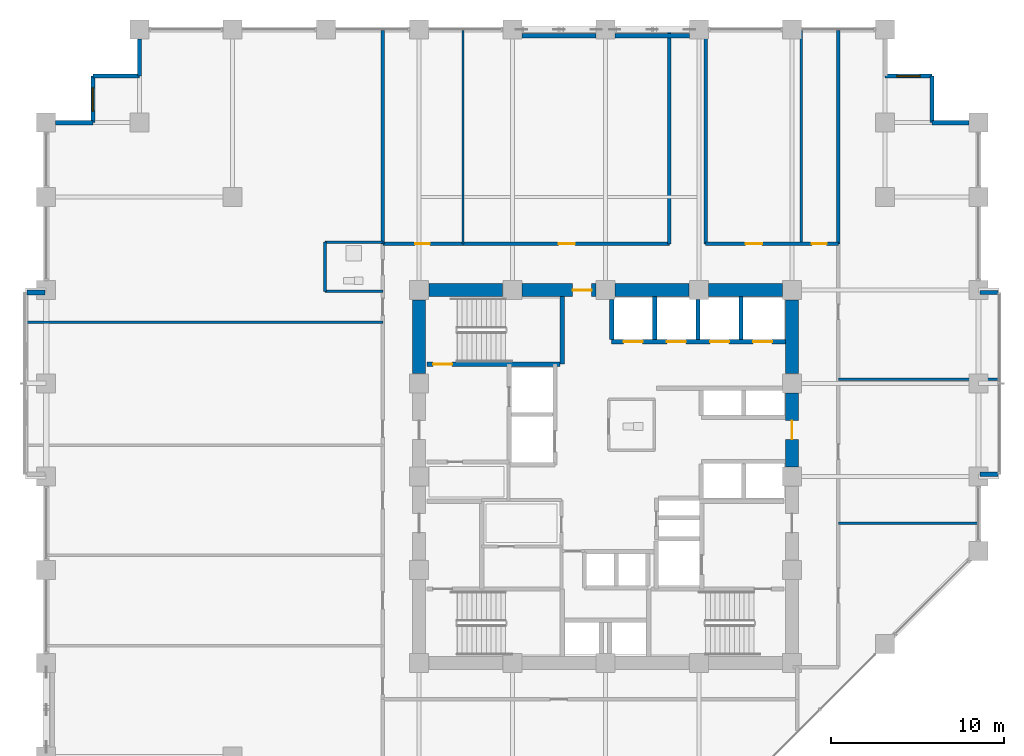
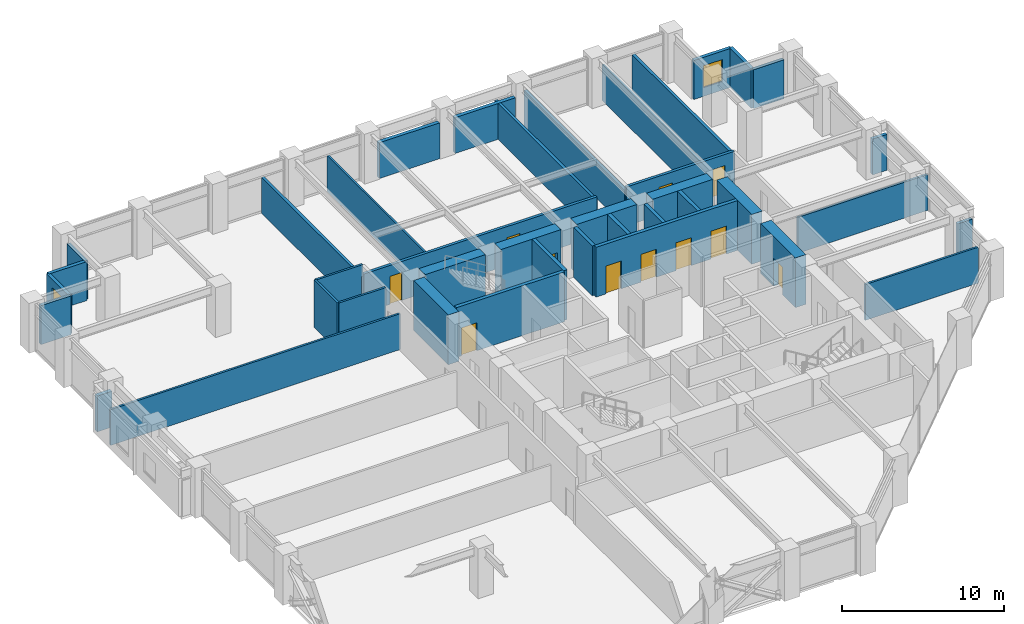
# One storey, part 22 of 26: 40 walls, 11 doors, 2 windows, 13 openings.
"""IFC4 building model written with IfcOpenShell, lengths in metres."""

from ifc_helpers import new_model, si_unit, direction, frame, frame_2d, origin, place, context, subcontext, project, spatial, rectangle, extrude, material, layer, layer_set, type_object, element, fill, save


model = new_model("IFC4")

# Units and contexts
model_context = context("Model", 3, precision=1e-05, world=origin(), true_north=direction((0.0, 1.0)))
body_context = subcontext(model_context, "Body", "Model", "MODEL_VIEW")
ifc_project = project(units=[si_unit("LENGTHUNIT", "METRE"), si_unit("AREAUNIT", "SQUARE_METRE"), si_unit("VOLUMEUNIT", "CUBIC_METRE"), si_unit("PLANEANGLEUNIT", "RADIAN"), si_unit("MASSUNIT", "GRAM", prefix="KILO")], contexts=[model_context])

# Site, building, storey
site_placement = place(None, origin())
site = spatial("IfcSite", under=ifc_project, at=site_placement, CompositionType="ELEMENT")
building_placement = place(site_placement, origin())
building = spatial("IfcBuilding", under=site, at=building_placement, Name="Surkhivell Harbour Commons", CompositionType="ELEMENT")
storey_placement = place(building_placement, frame((0.0, 0.0, 102.0)))
storey = spatial("IfcBuildingStorey", under=building, at=storey_placement, Name="L26", CompositionType="ELEMENT", Elevation=102.0)

# Wall
ifc_material_1 = material(Name="Concrete C60/75", Category="concrete")
ifc_layer_1 = layer(ifc_material_1, 0.75)
ifc_layer_set_1 = layer_set([ifc_layer_1], Name="Concrete C60/75")
wall_type_1 = type_object("IfcWallType", Name="WAL-CORE-750", PredefinedType="SHEAR", material=ifc_layer_set_1)
wall_1_placement = place(storey_placement, frame((-10.239990234375, 10.800048828125, 0.0), z_axis=(0.0, 0.0, 1.0), x_axis=(1.0, 0.0, 0.0)))
element("IfcWall", 1, at=wall_1_placement, inside=storey, type_object=wall_type_1, Name="L26 Core Shear Wall North 1", PredefinedType="SHEAR", context=body_context, shape_type="SweptSolid", body=[
    extrude(rectangle(XDim=4.280029296875, YDim=0.75, at=frame_2d((2.14013671875, 0.0))), origin(), (0.0, 0.0, 1.0), 3.75),
])

# Wall, opening, door
wall_2_placement = place(storey_placement, frame((-4.840087890625, 10.800048828125, 0.0), z_axis=(0.0, 0.0, 1.0), x_axis=(1.0, 0.0, 0.0)))
wall_2 = element("IfcWall", 2, at=wall_2_placement, inside=storey, type_object=wall_type_1, Name="L26 Core Shear Wall North 2", PredefinedType="SHEAR", context=body_context, shape_type="SweptSolid", body=[
    extrude(rectangle(XDim=4.280029296875, YDim=0.75, at=frame_2d((2.14013671875, 0.0))), origin(), (0.0, 0.0, 1.0), 3.75),
])
opening_1_placement = place(wall_2_placement, frame((2.929931640625, 0.0, 0.0)))
opening_1 = element("IfcOpeningElement", 3, at=opening_1_placement, cuts=wall_2, Name="Opening ID-2", PredefinedType="OPENING", context=body_context, shape_type="SweptSolid", body=[
    extrude(rectangle(XDim=1.10009765625, YDim=2.10009765625, at=frame_2d((0.550048828125, 1.050048828125))), frame((0.0, 0.385009765625, 0.0), z_axis=(0.0, -1.0, 0.0), x_axis=(1.0, 0.0, 0.0)), (0.0, 0.0, 1.0), 0.77001953125),
])
ifc_material_2 = material(Name="Hardwood-veneered fire-rated door leaf", Category="wood")
door_type_1 = type_object("IfcDoorType", Name="DOR-FD60-1100", OperationType="NOTDEFINED", PredefinedType="DOOR", material=ifc_material_2)
door_1_placement = place(opening_1_placement, origin())
door_1 = element("IfcDoor", 4, at=door_1_placement, inside=storey, type_object=door_type_1, Name="L26 Central Core Lift Hall North Corridor Door", OperationType="SINGLE_SWING_LEFT", OverallHeight=2.10009765625, OverallWidth=1.10009765625, PredefinedType="DOOR", context=body_context, shape_type="SweptSolid", body=[
    extrude(rectangle(XDim=1.10009765625, YDim=2.10009765625, at=frame_2d((0.550048828125, 1.050048828125))), frame((0.0, 0.02490234375, 0.0), z_axis=(0.0, -1.0, 0.0), x_axis=(1.0, 0.0, 0.0)), (0.0, 0.0, 1.0), 0.050048828125),
])
fill(opening_1, door_1)

# Wall
wall_3_placement = place(storey_placement, frame((0.56005859375, 10.800048828125, 0.0), z_axis=(0.0, 0.0, 1.0), x_axis=(1.0, 0.0, 0.0)))
element("IfcWall", 5, at=wall_3_placement, inside=storey, type_object=wall_type_1, Name="L26 Core Shear Wall North 3", PredefinedType="SHEAR", context=body_context, shape_type="SweptSolid", body=[
    extrude(rectangle(XDim=4.280029296875, YDim=0.75, at=frame_2d((2.14013671875, 0.0))), origin(), (0.0, 0.0, 1.0), 3.75),
])

# Wall, opening, door
wall_4_placement = place(storey_placement, frame((10.800048828125, 0.56005859375, 0.0), z_axis=(0.0, 0.0, 1.0), x_axis=(0.0, 1.0, 0.0)))
wall_4 = element("IfcWall", 6, at=wall_4_placement, inside=storey, type_object=wall_type_1, Name="L26 Core Shear Wall East 3", PredefinedType="SHEAR", context=body_context, shape_type="SweptSolid", body=[
    extrude(rectangle(XDim=4.280029296875, YDim=0.75, at=frame_2d((2.14013671875, 0.0))), origin(), (0.0, 0.0, 1.0), 3.75),
])
opening_2_placement = place(wall_4_placement, frame((1.590087890625, 0.0, 0.0)))
opening_2 = element("IfcOpeningElement", 7, at=opening_2_placement, cuts=wall_4, Name="Opening ID-2", PredefinedType="OPENING", context=body_context, shape_type="SweptSolid", body=[
    extrude(rectangle(XDim=1.10009765625, YDim=2.10009765625, at=frame_2d((0.550048828125, 1.050048828125))), frame((0.0, 0.385009765625, 0.0), z_axis=(0.0, -1.0, 0.0), x_axis=(1.0, 0.0, 0.0)), (0.0, 0.0, 1.0), 0.77001953125),
])
door_2_placement = place(opening_2_placement, origin())
door_2 = element("IfcDoor", 8, at=door_2_placement, inside=storey, type_object=door_type_1, Name="L26 Mid-Rise Lobby East Door", OperationType="SINGLE_SWING_LEFT", OverallHeight=2.10009765625, OverallWidth=1.10009765625, PredefinedType="DOOR", context=body_context, shape_type="SweptSolid", body=[
    extrude(rectangle(XDim=1.10009765625, YDim=2.10009765625, at=frame_2d((0.550048828125, 1.050048828125))), frame((0.0, 0.02490234375, 0.0), z_axis=(0.0, -1.0, 0.0), x_axis=(1.0, 0.0, 0.0)), (0.0, 0.0, 1.0), 0.050048828125),
])
fill(opening_2, door_2)

# Walls
for number, where, z_axis, x_axis, name in (
    (9, (5.9599609375, 10.800048828125, 0.0), (0.0, 0.0, 1.0), (1.0, 0.0, 0.0), "L26 Core Shear Wall North 4"),
    (10, (-10.800048828125, 5.9599609375, 0.0), (0.0, 0.0, 1.0), (0.0, 1.0, 0.0), "L26 Core Shear Wall West 4"),
    (11, (10.800048828125, 5.9599609375, 0.0), (0.0, 0.0, 1.0), (0.0, 1.0, 0.0), "L26 Core Shear Wall East 4"),
):
    element("IfcWall", number, at=place(storey_placement, frame(where, z_axis=z_axis, x_axis=x_axis)), inside=storey, type_object=wall_type_1, Name=name, PredefinedType="SHEAR", context=body_context, shape_type="SweptSolid", body=[
        extrude(rectangle(XDim=4.280029296875, YDim=0.75, at=frame_2d((2.14013671875, 0.0))), origin(), (0.0, 0.0, 1.0), 3.75),
    ])
ifc_material_3 = material(Name="Pale-metal insulated precast concrete C45/55", Category="concrete")
ifc_layer_2 = layer(ifc_material_3, 0.260009765625)
ifc_layer_set_2 = layer_set([ifc_layer_2], Name="Pale-metal insulated precast concrete C45/55")
wall_type_2 = type_object("IfcWallType", Name="WAL-EXT-MTL260", PredefinedType="STANDARD", material=ifc_layer_set_2)
for number, where, z_axis, x_axis, name in (
    (12, (-0.548095703125, 25.5400390625, 0.0), (0.0, 0.0, 1.0), (-1.0, 0.0, 0.0), "L26 Braced-Bay Insulated Spandrel Backing N"),
    (13, (4.85205078125, 25.5400390625, 0.0), (0.0, 0.0, 1.0), (-1.0, 0.0, 0.0), "L26 Braced-Bay Insulated Spandrel Backing N2"),
):
    element("IfcWall", number, at=place(storey_placement, frame(where, z_axis=z_axis, x_axis=x_axis)), inside=storey, type_object=wall_type_2, Name=name, PredefinedType="STANDARD", context=body_context, shape_type="SweptSolid", body=[
        extrude(rectangle(XDim=4.303955078125, YDim=0.260009765625, at=frame_2d((2.15185546875, 0.0))), origin(), (0.0, 0.0, 1.0), 2.698974609375),
    ])
ifc_material_4 = material(Name="Bronze-ochre cassette precast concrete C45/55", Category="concrete")
ifc_layer_3 = layer(ifc_material_4, 0.239990234375)
ifc_layer_set_3 = layer_set([ifc_layer_3], Name="Bronze-ochre cassette precast concrete C45/55")
wall_type_3 = type_object("IfcWallType", Name="WAL-EXT-OCH240", PredefinedType="STANDARD", material=ifc_layer_set_3)
for number, where, z_axis, x_axis, name in (
    (14, (21.679931640625, 0.139892578125, 0.0), (0.0, 0.0, 1.0), (1.0, 0.0, 0.0), "L26 Coloured Box Return Wall 01S"),
    (15, (21.679931640625, 10.659912109375, 0.0), (0.0, 0.0, 1.0), (1.0, 0.0, 0.0), "L26 Coloured Box Return Wall 01N"),
):
    element("IfcWall", number, at=place(storey_placement, frame(where, z_axis=z_axis, x_axis=x_axis)), inside=storey, type_object=wall_type_3, Name=name, PredefinedType="STANDARD", context=body_context, shape_type="SweptSolid", body=[
        extrude(rectangle(XDim=1.0400390625, YDim=0.239990234375, at=frame_2d((0.52001953125, 0.0))), origin(), (0.0, 0.0, 1.0), 2.698974609375),
    ])
wall_5_placement = place(storey_placement, frame((21.052001953125, 20.5, 0.0), z_axis=(0.0, 0.0, 1.0), x_axis=(-1.0, 0.0, 0.0)))
element("IfcWall", 16, at=wall_5_placement, inside=storey, type_object=wall_type_3, Name="L26 Serrated Corner Facade Wall 03", PredefinedType="STANDARD", context=body_context, shape_type="SweptSolid", body=[
    extrude(rectangle(XDim=2.152099609375, YDim=0.239990234375, at=frame_2d((1.076171875, 0.0))), origin(), (0.0, 0.0, 1.0), 2.93310546875),
])
wall_6_placement = place(storey_placement, frame((18.89990234375, 20.5, 0.0), z_axis=(0.0, 0.0, 1.0), x_axis=(0.0, 1.0, 0.0)))
element("IfcWall", 17, at=wall_6_placement, inside=storey, type_object=wall_type_3, Name="L26 Serrated Corner Facade Wall 04", PredefinedType="STANDARD", context=body_context, shape_type="SweptSolid", body=[
    extrude(rectangle(XDim=2.699951171875, YDim=0.239990234375, at=frame_2d((1.35009765625, 0.0))), origin(), (0.0, 0.0, 1.0), 2.93310546875),
])

# Wall, opening, window
wall_7_placement = place(storey_placement, frame((18.89990234375, 23.199951171875, 0.0), z_axis=(0.0, 0.0, 1.0), x_axis=(-1.0, 0.0, 0.0)))
wall_7 = element("IfcWall", 18, at=wall_7_placement, inside=storey, type_object=wall_type_3, Name="L26 Serrated Corner Facade Wall 05", PredefinedType="STANDARD", context=body_context, shape_type="SweptSolid", body=[
    extrude(rectangle(XDim=2.699951171875, YDim=0.239990234375, at=frame_2d((1.35009765625, 0.0))), origin(), (0.0, 0.0, 1.0), 2.93310546875),
])
opening_3_placement = place(wall_7_placement, frame((0.675048828125, 0.0, 0.64990234375)))
opening_3 = element("IfcOpeningElement", 19, at=opening_3_placement, cuts=wall_7, Name="Opening WN-08", PredefinedType="OPENING", context=body_context, shape_type="SweptSolid", body=[
    extrude(rectangle(XDim=1.35009765625, YDim=1.64990234375, at=frame_2d((0.675048828125, 0.824951171875))), frame((0.0, 0.1298828125, 0.0), z_axis=(0.0, -1.0, 0.0), x_axis=(1.0, 0.0, 0.0)), (0.0, 0.0, 1.0), 0.260009765625),
])
ifc_material_5 = material(Name="Thermal-break aluminium frame and double low-E glazing", Category="aluminium")
window_type = type_object("IfcWindowType", Name="WIN-SER-1350x1650", PartitioningType="SINGLE_PANEL", PredefinedType="WINDOW", material=ifc_material_5)
window_1_placement = place(opening_3_placement, origin())
window_1 = element("IfcWindow", 20, at=window_1_placement, inside=storey, type_object=window_type, Name="L26 Serrated Alcove Window 05", OverallHeight=1.64990234375, OverallWidth=1.35009765625, PartitioningType="SINGLE_PANEL", PredefinedType="WINDOW", context=body_context, shape_type="SweptSolid", body=[
    extrude(rectangle(XDim=1.35009765625, YDim=1.64990234375, at=frame_2d((0.675048828125, 0.824951171875))), frame((0.0, 0.030029296875, 0.0), z_axis=(0.0, -1.0, 0.0), x_axis=(1.0, 0.0, 0.0)), (0.0, 0.0, 1.0), 0.06005859375),
])
fill(opening_3, window_1)

# Walls
wall_8_placement = place(storey_placement, frame((-27.0, 25.35205078125, 0.0), z_axis=(0.0, 0.0, 1.0), x_axis=(0.0, -1.0, 0.0)))
element("IfcWall", 21, at=wall_8_placement, inside=storey, type_object=wall_type_3, Name="L26 Serrated Corner Facade Wall 08", PredefinedType="STANDARD", context=body_context, shape_type="SweptSolid", body=[
    extrude(rectangle(XDim=2.152099609375, YDim=0.239990234375, at=frame_2d((1.076171875, 0.0))), origin(), (0.0, 0.0, 1.0), 2.93310546875),
])
wall_9_placement = place(storey_placement, frame((-27.0, 23.199951171875, 0.0), z_axis=(0.0, 0.0, 1.0), x_axis=(-1.0, 0.0, 0.0)))
element("IfcWall", 22, at=wall_9_placement, inside=storey, type_object=wall_type_3, Name="L26 Serrated Corner Facade Wall 09", PredefinedType="STANDARD", context=body_context, shape_type="SweptSolid", body=[
    extrude(rectangle(XDim=2.699951171875, YDim=0.239990234375, at=frame_2d((1.35009765625, 0.0))), origin(), (0.0, 0.0, 1.0), 2.93310546875),
])

# Wall, opening, window
wall_10_placement = place(storey_placement, frame((-29.699951171875, 23.199951171875, 0.0), z_axis=(0.0, 0.0, 1.0), x_axis=(0.0, -1.0, 0.0)))
wall_10 = element("IfcWall", 23, at=wall_10_placement, inside=storey, type_object=wall_type_3, Name="L26 Serrated Corner Facade Wall 10", PredefinedType="STANDARD", context=body_context, shape_type="SweptSolid", body=[
    extrude(rectangle(XDim=2.699951171875, YDim=0.239990234375, at=frame_2d((1.35009765625, 0.0))), origin(), (0.0, 0.0, 1.0), 2.93310546875),
])
opening_4_placement = place(wall_10_placement, frame((0.675048828125, 0.0, 0.64990234375)))
opening_4 = element("IfcOpeningElement", 24, at=opening_4_placement, cuts=wall_10, Name="Opening WN-08", PredefinedType="OPENING", context=body_context, shape_type="SweptSolid", body=[
    extrude(rectangle(XDim=1.35009765625, YDim=1.64990234375, at=frame_2d((0.675048828125, 0.824951171875))), frame((0.0, 0.1298828125, 0.0), z_axis=(0.0, -1.0, 0.0), x_axis=(1.0, 0.0, 0.0)), (0.0, 0.0, 1.0), 0.260009765625),
])
window_2_placement = place(opening_4_placement, origin())
window_2 = element("IfcWindow", 25, at=window_2_placement, inside=storey, type_object=window_type, Name="L26 Serrated Alcove Window 10", OverallHeight=1.64990234375, OverallWidth=1.35009765625, PartitioningType="SINGLE_PANEL", PredefinedType="WINDOW", context=body_context, shape_type="SweptSolid", body=[
    extrude(rectangle(XDim=1.35009765625, YDim=1.64990234375, at=frame_2d((0.675048828125, 0.824951171875))), frame((0.0, 0.030029296875, 0.0), z_axis=(0.0, -1.0, 0.0), x_axis=(1.0, 0.0, 0.0)), (0.0, 0.0, 1.0), 0.06005859375),
])
fill(opening_4, window_2)

# Walls
wall_11_placement = place(storey_placement, frame((-29.699951171875, 20.5, 0.0), z_axis=(0.0, 0.0, 1.0), x_axis=(-1.0, 0.0, 0.0)))
element("IfcWall", 26, at=wall_11_placement, inside=storey, type_object=wall_type_3, Name="L26 Serrated Corner Facade Wall 11", PredefinedType="STANDARD", context=body_context, shape_type="SweptSolid", body=[
    extrude(rectangle(XDim=2.152099609375, YDim=0.239990234375, at=frame_2d((1.076171875, 0.0))), origin(), (0.0, 0.0, 1.0), 2.93310546875),
])
ifc_material_6 = material(Name="Terracotta-clad reinforced concrete C45/55", Category="masonry")
ifc_layer_4 = layer(ifc_material_6, 0.280029296875)
ifc_layer_set_4 = layer_set([ifc_layer_4], Name="Terracotta-clad reinforced concrete C45/55")
wall_type_4 = type_object("IfcWallType", Name="WAL-EXT-TER280", PredefinedType="STANDARD", material=ifc_layer_set_4)
wall_12_placement = place(storey_placement, frame((-33.52001953125, 10.659912109375, 0.0), z_axis=(0.0, 0.0, 1.0), x_axis=(1.0, 0.0, 0.0)))
element("IfcWall", 27, at=wall_12_placement, inside=storey, type_object=wall_type_4, Name="L26 Coloured Box Return Wall 02N", PredefinedType="STANDARD", context=body_context, shape_type="SweptSolid", body=[
    extrude(rectangle(XDim=1.0400390625, YDim=0.280029296875, at=frame_2d((0.52001953125, 0.0))), origin(), (0.0, 0.0, 1.0), 2.698974609375),
])
ifc_material_7 = material(Name="Moisture-resistant acoustic stud partition", Category="other")
ifc_layer_5 = layer(ifc_material_7, 0.125)
ifc_layer_set_5 = layer_set([ifc_layer_5], Name="Moisture-resistant acoustic stud partition")
wall_type_5 = type_object("IfcWallType", Name="WAL-INT-125", PredefinedType="PARTITIONING", material=ifc_layer_set_5)
wall_13_placement = place(storey_placement, frame((-8.25, 13.47998046875, 0.0), z_axis=(0.0, 0.0, 1.0), x_axis=(0.0, 1.0, 0.0)))
element("IfcWall", 28, at=wall_13_placement, inside=storey, type_object=wall_type_5, Name="L26 North-West Partition P1", PredefinedType="PARTITIONING", context=body_context, shape_type="SweptSolid", body=[
    extrude(rectangle(XDim=12.360107421875, YDim=0.125, at=frame_2d((6.18017578125, 0.0))), origin(), (0.0, 0.0, 1.0), 2.698974609375),
])
ifc_material_8 = material(Name="Twin-stud acoustic fireboard partition", Category="other")
ifc_layer_6 = layer(ifc_material_8, 0.14990234375)
ifc_layer_set_6 = layer_set([ifc_layer_6], Name="Twin-stud acoustic fireboard partition")
wall_type_6 = type_object("IfcWallType", Name="WAL-INT-150", PredefinedType="PARTITIONING", material=ifc_layer_set_6)
wall_14_placement = place(storey_placement, frame((13.47998046875, -2.699951171875, 0.0), z_axis=(0.0, 0.0, 1.0), x_axis=(1.0, 0.0, 0.0)))
element("IfcWall", 29, at=wall_14_placement, inside=storey, type_object=wall_type_6, Name="L26 East Partition P1", PredefinedType="PARTITIONING", context=body_context, shape_type="SweptSolid", body=[
    extrude(rectangle(XDim=8.06005859375, YDim=0.14990234375, at=frame_2d((4.030029296875, 0.0))), origin(), (0.0, 0.0, 1.0), 2.698974609375),
])
wall_15_placement = place(storey_placement, frame((13.47998046875, 5.6298828125, 0.0), z_axis=(0.0, 0.0, 1.0), x_axis=(1.0, 0.0, 0.0)))
element("IfcWall", 30, at=wall_15_placement, inside=storey, type_object=wall_type_6, Name="L26 East Partition P2", PredefinedType="PARTITIONING", context=body_context, shape_type="SweptSolid", body=[
    extrude(rectangle(XDim=9.260009765625, YDim=0.14990234375, at=frame_2d((4.6298828125, 0.0))), origin(), (0.0, 0.0, 1.0), 2.698974609375),
])
wall_16_placement = place(storey_placement, frame((11.330078125, 13.47998046875, 0.0), z_axis=(0.0, 0.0, 1.0), x_axis=(0.0, 1.0, 0.0)))
element("IfcWall", 31, at=wall_16_placement, inside=storey, type_object=wall_type_6, Name="L26 North-East Partition P1", PredefinedType="PARTITIONING", context=body_context, shape_type="SweptSolid", body=[
    extrude(rectangle(XDim=12.360107421875, YDim=0.14990234375, at=frame_2d((6.18017578125, 0.0))), origin(), (0.0, 0.0, 1.0), 2.698974609375),
])
wall_17_placement = place(storey_placement, frame((-16.25, 10.72998046875, 0.0), z_axis=(0.0, 0.0, 1.0), x_axis=(0.0, 1.0, 0.0)))
element("IfcWall", 32, at=wall_17_placement, inside=storey, type_object=wall_type_6, Name="L26 West Partition BTHB", PredefinedType="PARTITIONING", context=body_context, shape_type="SweptSolid", body=[
    extrude(rectangle(XDim=2.85009765625, YDim=0.14990234375, at=frame_2d((1.425048828125, 0.0))), origin(), (0.0, 0.0, 1.0), 3.570068359375),
])
for number, where, z_axis, x_axis, name in (
    (33, (-16.25, 13.580078125, 0.0), (0.0, 0.0, 1.0), (1.0, 0.0, 0.0), "L26 West Partition BTHN"),
    (34, (-16.25, 10.72998046875, 0.0), (0.0, 0.0, 1.0), (1.0, 0.0, 0.0), "L26 West Partition BTHS"),
):
    element("IfcWall", number, at=place(storey_placement, frame(where, z_axis=z_axis, x_axis=x_axis)), inside=storey, type_object=wall_type_6, Name=name, PredefinedType="PARTITIONING", context=body_context, shape_type="SweptSolid", body=[
        extrude(rectangle(XDim=3.35009765625, YDim=0.14990234375, at=frame_2d((1.675048828125, 0.0))), origin(), (0.0, 0.0, 1.0), 3.570068359375),
    ])
wall_18_placement = place(storey_placement, frame((-33.5400390625, 8.929931640625, 0.0), z_axis=(0.0, 0.0, 1.0), x_axis=(1.0, 0.0, 0.0)))
element("IfcWall", 35, at=wall_18_placement, inside=storey, type_object=wall_type_6, Name="L26 West Partition PTOP", PredefinedType="PARTITIONING", context=body_context, shape_type="SweptSolid", body=[
    extrude(rectangle(XDim=20.64013671875, YDim=0.14990234375, at=frame_2d((10.320068359375, 0.0))), origin(), (0.0, 0.0, 1.0), 2.698974609375),
])
ifc_material_9 = material(Name="Autoclaved aerated concrete blockwork and fire plaster", Category="masonry")
ifc_layer_7 = layer(ifc_material_9, 0.199951171875)
ifc_layer_set_7 = layer_set([ifc_layer_7], Name="Autoclaved aerated concrete blockwork and fire plaster")
wall_type_7 = type_object("IfcWallType", Name="WAL-INT-200", PredefinedType="PARTITIONING", material=ifc_layer_set_7)
for number, where, z_axis, x_axis, name in (
    (36, (13.47998046875, 13.47998046875, 0.0), (0.0, 0.0, 1.0), (0.0, 1.0, 0.0), "L26 North-East Wing Corner Divider"),
    (37, (-12.89990234375, 13.47998046875, 0.0), (0.0, 0.0, 1.0), (0.0, 1.0, 0.0), "L26 North-West Wing Corner Divider"),
):
    element("IfcWall", number, at=place(storey_placement, frame(where, z_axis=z_axis, x_axis=x_axis)), inside=storey, type_object=wall_type_7, Name=name, PredefinedType="PARTITIONING", context=body_context, shape_type="SweptSolid", body=[
        extrude(rectangle(XDim=12.360107421875, YDim=0.199951171875, at=frame_2d((6.18017578125, 0.0))), origin(), (0.0, 0.0, 1.0), 2.698974609375),
    ])

# Wall, openings, doors
wall_19_placement = place(storey_placement, frame((-12.89990234375, 13.47998046875, 0.0), z_axis=(0.0, 0.0, 1.0), x_axis=(1.0, 0.0, 0.0)))
wall_19 = element("IfcWall", 38, at=wall_19_placement, inside=storey, type_object=wall_type_7, Name="L26 Corridor North-West Wall", PredefinedType="PARTITIONING", context=body_context, shape_type="SweptSolid", body=[
    extrude(rectangle(XDim=16.599853515625, YDim=0.199951171875, at=frame_2d((8.2998046875, 0.0))), origin(), (0.0, 0.0, 1.0), 2.93310546875),
])
opening_5_placement = place(wall_19_placement, frame((1.875, 0.0, 0.0)))
opening_5 = element("IfcOpeningElement", 39, at=opening_5_placement, cuts=wall_19, Name="Opening ID-6", PredefinedType="OPENING", context=body_context, shape_type="SweptSolid", body=[
    extrude(rectangle(XDim=0.85009765625, YDim=2.10009765625, at=frame_2d((0.425048828125, 1.050048828125))), frame((0.0, 0.10986328125, 0.0), z_axis=(0.0, -1.0, 0.0), x_axis=(1.0, 0.0, 0.0)), (0.0, 0.0, 1.0), 0.219970703125),
])
opening_6_placement = place(wall_19_placement, frame((10.175048828125, 0.0, 0.0)))
opening_6 = element("IfcOpeningElement", 40, at=opening_6_placement, cuts=wall_19, Name="Opening ID-4", PredefinedType="OPENING", context=body_context, shape_type="SweptSolid", body=[
    extrude(rectangle(XDim=0.949951171875, YDim=2.10009765625, at=frame_2d((0.47509765625, 1.050048828125))), frame((0.0, 0.10986328125, 0.0), z_axis=(0.0, -1.0, 0.0), x_axis=(1.0, 0.0, 0.0)), (0.0, 0.0, 1.0), 0.219970703125),
])
door_type_2 = type_object("IfcDoorType", Name="DOR-FD30-850", OperationType="NOTDEFINED", PredefinedType="DOOR", material=ifc_material_2)
door_3_placement = place(opening_5_placement, origin())
door_3 = element("IfcDoor", 41, at=door_3_placement, inside=storey, type_object=door_type_2, Name="L26 Shared Communal Kitchen A North-West Door", OperationType="SINGLE_SWING_RIGHT", OverallHeight=2.10009765625, OverallWidth=0.85009765625, PredefinedType="DOOR", context=body_context, shape_type="SweptSolid", body=[
    extrude(rectangle(XDim=0.85009765625, YDim=2.10009765625, at=frame_2d((0.425048828125, 1.050048828125))), frame((0.0, 0.02490234375, 0.0), z_axis=(0.0, -1.0, 0.0), x_axis=(1.0, 0.0, 0.0)), (0.0, 0.0, 1.0), 0.050048828125),
])
fill(opening_5, door_3)
door_type_3 = type_object("IfcDoorType", Name="DOR-FD60-950", OperationType="NOTDEFINED", PredefinedType="DOOR", material=ifc_material_2)
door_4_placement = place(opening_6_placement, origin())
door_4 = element("IfcDoor", 42, at=door_4_placement, inside=storey, type_object=door_type_3, Name="L26 Shared Communal Kitchen B North-West Door", OperationType="SINGLE_SWING_LEFT", OverallHeight=2.10009765625, OverallWidth=0.949951171875, PredefinedType="DOOR", context=body_context, shape_type="SweptSolid", body=[
    extrude(rectangle(XDim=0.949951171875, YDim=2.10009765625, at=frame_2d((0.47509765625, 1.050048828125))), frame((0.0, 0.02490234375, 0.0), z_axis=(0.0, -1.0, 0.0), x_axis=(1.0, 0.0, 0.0)), (0.0, 0.0, 1.0), 0.050048828125),
])
fill(opening_6, door_4)

wall_20_placement = place(storey_placement, frame((5.800048828125, 13.47998046875, 0.0), z_axis=(0.0, 0.0, 1.0), x_axis=(1.0, 0.0, 0.0)))
wall_20 = element("IfcWall", 43, at=wall_20_placement, inside=storey, type_object=wall_type_7, Name="L26 Corridor North-East Wall", PredefinedType="PARTITIONING", context=body_context, shape_type="SweptSolid", body=[
    extrude(rectangle(XDim=7.679931640625, YDim=0.199951171875, at=frame_2d((3.83984375, 0.0))), origin(), (0.0, 0.0, 1.0), 2.93310546875),
])
opening_7_placement = place(wall_20_placement, frame((2.31494140625, 0.0, 0.0)))
opening_7 = element("IfcOpeningElement", 44, at=opening_7_placement, cuts=wall_20, Name="Opening ID-4", PredefinedType="OPENING", context=body_context, shape_type="SweptSolid", body=[
    extrude(rectangle(XDim=0.949951171875, YDim=2.10009765625, at=frame_2d((0.47509765625, 1.050048828125))), frame((0.0, 0.10986328125, 0.0), z_axis=(0.0, -1.0, 0.0), x_axis=(1.0, 0.0, 0.0)), (0.0, 0.0, 1.0), 0.219970703125),
])
opening_8_placement = place(wall_20_placement, frame((6.155029296875, 0.0, 0.0)))
opening_8 = element("IfcOpeningElement", 45, at=opening_8_placement, cuts=wall_20, Name="Opening ID-6", PredefinedType="OPENING", context=body_context, shape_type="SweptSolid", body=[
    extrude(rectangle(XDim=0.85009765625, YDim=2.10009765625, at=frame_2d((0.425048828125, 1.050048828125))), frame((0.0, 0.10986328125, 0.0), z_axis=(0.0, -1.0, 0.0), x_axis=(1.0, 0.0, 0.0)), (0.0, 0.0, 1.0), 0.219970703125),
])
door_5_placement = place(opening_8_placement, origin())
door_5 = element("IfcDoor", 46, at=door_5_placement, inside=storey, type_object=door_type_2, Name="L26 Resident Advisory Reception Desk North-East Door", OperationType="SINGLE_SWING_LEFT", OverallHeight=2.10009765625, OverallWidth=0.85009765625, PredefinedType="DOOR", context=body_context, shape_type="SweptSolid", body=[
    extrude(rectangle(XDim=0.85009765625, YDim=2.10009765625, at=frame_2d((0.425048828125, 1.050048828125))), frame((0.0, 0.02490234375, 0.0), z_axis=(0.0, -1.0, 0.0), x_axis=(1.0, 0.0, 0.0)), (0.0, 0.0, 1.0), 0.050048828125),
])
fill(opening_8, door_5)
door_6_placement = place(opening_7_placement, origin())
door_6 = element("IfcDoor", 47, at=door_6_placement, inside=storey, type_object=door_type_3, Name="L26 Zone Concierge Reception Foyer North-East Door", OperationType="SINGLE_SWING_RIGHT", OverallHeight=2.10009765625, OverallWidth=0.949951171875, PredefinedType="DOOR", context=body_context, shape_type="SweptSolid", body=[
    extrude(rectangle(XDim=0.949951171875, YDim=2.10009765625, at=frame_2d((0.47509765625, 1.050048828125))), frame((0.0, 0.02490234375, 0.0), z_axis=(0.0, -1.0, 0.0), x_axis=(1.0, 0.0, 0.0)), (0.0, 0.0, 1.0), 0.050048828125),
])
fill(opening_7, door_6)

# Walls
for number, where, z_axis, x_axis, name in (
    (48, (5.800048828125, 13.47998046875, 0.0), (0.0, 0.0, 1.0), (0.0, 1.0, 0.0), "L26 North Alcove East Wall"),
    (49, (3.699951171875, 13.47998046875, 0.0), (0.0, 0.0, 1.0), (0.0, 1.0, 0.0), "L26 North Alcove West Wall"),
):
    element("IfcWall", number, at=place(storey_placement, frame(where, z_axis=z_axis, x_axis=x_axis)), inside=storey, type_object=wall_type_7, Name=name, PredefinedType="PARTITIONING", context=body_context, shape_type="SweptSolid", body=[
        extrude(rectangle(XDim=12.360107421875, YDim=0.199951171875, at=frame_2d((6.18017578125, 0.0))), origin(), (0.0, 0.0, 1.0), 2.698974609375),
    ])
ifc_material_10 = material(Name="Concrete C50/60", Category="concrete")
ifc_layer_8 = layer(ifc_material_10, 0.25)
ifc_layer_set_8 = layer_set([ifc_layer_8], Name="Concrete C50/60")
wall_type_8 = type_object("IfcWallType", Name="WAL-SHAFT-250", PredefinedType="SHEAR", material=ifc_layer_set_8)
wall_21_placement = place(storey_placement, frame((2.85009765625, 7.93994140625, 0.0), z_axis=(0.0, 0.0, 1.0), x_axis=(0.0, 1.0, 0.0)))
element("IfcWall", 50, at=wall_21_placement, inside=storey, type_object=wall_type_8, Name="L26 Low-Rise Hoistway Wall", PredefinedType="SHEAR", context=body_context, shape_type="SweptSolid", body=[
    extrude(rectangle(XDim=2.485107421875, YDim=0.25, at=frame_2d((1.24267578125, 0.0))), origin(), (0.0, 0.0, 1.0), 3.75),
])
for number, where, z_axis, x_axis, name in (
    (51, (0.35009765625, 7.93994140625, 0.0), (0.0, 0.0, 1.0), (0.0, 1.0, 0.0), "L26 Low-Rise Hoistway Wall"),
    (52, (5.35009765625, 7.93994140625, 0.0), (0.0, 0.0, 1.0), (0.0, 1.0, 0.0), "L26 Low-Rise Hoistway Wall"),
):
    element("IfcWall", number, at=place(storey_placement, frame(where, z_axis=z_axis, x_axis=x_axis)), inside=storey, type_object=wall_type_8, Name=name, PredefinedType="SHEAR", context=body_context, shape_type="SweptSolid", body=[
        extrude(rectangle(XDim=2.31005859375, YDim=0.25, at=frame_2d((1.155029296875, 0.0))), origin(), (0.0, 0.0, 1.0), 3.75),
    ])
wall_22_placement = place(storey_placement, frame((7.85009765625, 7.93994140625, 0.0), z_axis=(0.0, 0.0, 1.0), x_axis=(0.0, 1.0, 0.0)))
element("IfcWall", 53, at=wall_22_placement, inside=storey, type_object=wall_type_8, Name="L26 Low-Rise Hoistway Wall", PredefinedType="SHEAR", context=body_context, shape_type="SweptSolid", body=[
    extrude(rectangle(XDim=2.485107421875, YDim=0.25, at=frame_2d((1.24267578125, 0.0))), origin(), (0.0, 0.0, 1.0), 3.75),
])

# Wall, openings, doors
wall_23_placement = place(storey_placement, frame((0.35009765625, 7.820068359375, 0.0), z_axis=(0.0, 0.0, 1.0), x_axis=(1.0, 0.0, 0.0)))
wall_23 = element("IfcWall", 54, at=wall_23_placement, inside=storey, type_object=wall_type_8, Name="L26 Low-Rise Lift Front Shaft Wall", PredefinedType="SHEAR", context=body_context, shape_type="SweptSolid", body=[
    extrude(rectangle(XDim=10.074951171875, YDim=0.25, at=frame_2d((5.03759765625, 0.0))), origin(), (0.0, 0.0, 1.0), 3.75),
])
opening_9_placement = place(wall_23_placement, frame((0.699951171875, 0.0, 0.0)))
opening_9 = element("IfcOpeningElement", 55, at=opening_9_placement, cuts=wall_23, Name="Opening LD-1", PredefinedType="OPENING", context=body_context, shape_type="SweptSolid", body=[
    extrude(rectangle(XDim=1.10009765625, YDim=2.10009765625, at=frame_2d((0.550048828125, 1.050048828125))), frame((0.0, 0.135009765625, 0.0), z_axis=(0.0, -1.0, 0.0), x_axis=(1.0, 0.0, 0.0)), (0.0, 0.0, 1.0), 0.27001953125),
])
opening_10_placement = place(wall_23_placement, frame((3.199951171875, 0.0, 0.0)))
opening_10 = element("IfcOpeningElement", 56, at=opening_10_placement, cuts=wall_23, Name="Opening LD-1", PredefinedType="OPENING", context=body_context, shape_type="SweptSolid", body=[
    extrude(rectangle(XDim=1.10009765625, YDim=2.10009765625, at=frame_2d((0.550048828125, 1.050048828125))), frame((0.0, 0.135009765625, 0.0), z_axis=(0.0, -1.0, 0.0), x_axis=(1.0, 0.0, 0.0)), (0.0, 0.0, 1.0), 0.27001953125),
])
opening_11_placement = place(wall_23_placement, frame((5.699951171875, 0.0, 0.0)))
opening_11 = element("IfcOpeningElement", 57, at=opening_11_placement, cuts=wall_23, Name="Opening LD-1", PredefinedType="OPENING", context=body_context, shape_type="SweptSolid", body=[
    extrude(rectangle(XDim=1.10009765625, YDim=2.10009765625, at=frame_2d((0.550048828125, 1.050048828125))), frame((0.0, 0.135009765625, 0.0), z_axis=(0.0, -1.0, 0.0), x_axis=(1.0, 0.0, 0.0)), (0.0, 0.0, 1.0), 0.27001953125),
])
opening_12_placement = place(wall_23_placement, frame((8.199951171875, 0.0, 0.0)))
opening_12 = element("IfcOpeningElement", 58, at=opening_12_placement, cuts=wall_23, Name="Opening LD-1", PredefinedType="OPENING", context=body_context, shape_type="SweptSolid", body=[
    extrude(rectangle(XDim=1.10009765625, YDim=2.10009765625, at=frame_2d((0.550048828125, 1.050048828125))), frame((0.0, 0.135009765625, 0.0), z_axis=(0.0, -1.0, 0.0), x_axis=(1.0, 0.0, 0.0)), (0.0, 0.0, 1.0), 0.27001953125),
])
ifc_material_11 = material(Name="Brushed stainless steel S355", Category="steel")
door_type_4 = type_object("IfcDoorType", Name="DOR-LD-1100", OperationType="SLIDING_TO_LEFT", PredefinedType="DOOR", material=ifc_material_11)
door_7_placement = place(opening_9_placement, origin())
door_7 = element("IfcDoor", 59, at=door_7_placement, inside=storey, type_object=door_type_4, Name="L26 Lift Landing Door LD-PL1", OperationType="SLIDING_TO_LEFT", OverallHeight=2.10009765625, OverallWidth=1.10009765625, PredefinedType="DOOR", context=body_context, shape_type="SweptSolid", body=[
    extrude(rectangle(XDim=1.10009765625, YDim=2.10009765625, at=frame_2d((0.550048828125, 1.050048828125))), frame((0.0, 0.02490234375, 0.0), z_axis=(0.0, -1.0, 0.0), x_axis=(1.0, 0.0, 0.0)), (0.0, 0.0, 1.0), 0.050048828125),
])
fill(opening_9, door_7)
door_8_placement = place(opening_10_placement, origin())
door_8 = element("IfcDoor", 60, at=door_8_placement, inside=storey, type_object=door_type_4, Name="L26 Lift Landing Door LD-PL2", OperationType="SLIDING_TO_LEFT", OverallHeight=2.10009765625, OverallWidth=1.10009765625, PredefinedType="DOOR", context=body_context, shape_type="SweptSolid", body=[
    extrude(rectangle(XDim=1.10009765625, YDim=2.10009765625, at=frame_2d((0.550048828125, 1.050048828125))), frame((0.0, 0.02490234375, 0.0), z_axis=(0.0, -1.0, 0.0), x_axis=(1.0, 0.0, 0.0)), (0.0, 0.0, 1.0), 0.050048828125),
])
fill(opening_10, door_8)
door_9_placement = place(opening_11_placement, origin())
door_9 = element("IfcDoor", 61, at=door_9_placement, inside=storey, type_object=door_type_4, Name="L26 Lift Landing Door LD-PL3", OperationType="SLIDING_TO_LEFT", OverallHeight=2.10009765625, OverallWidth=1.10009765625, PredefinedType="DOOR", context=body_context, shape_type="SweptSolid", body=[
    extrude(rectangle(XDim=1.10009765625, YDim=2.10009765625, at=frame_2d((0.550048828125, 1.050048828125))), frame((0.0, 0.02490234375, 0.0), z_axis=(0.0, -1.0, 0.0), x_axis=(1.0, 0.0, 0.0)), (0.0, 0.0, 1.0), 0.050048828125),
])
fill(opening_11, door_9)
door_10_placement = place(opening_12_placement, origin())
door_10 = element("IfcDoor", 62, at=door_10_placement, inside=storey, type_object=door_type_4, Name="L26 Lift Landing Door LD-PL4", OperationType="SLIDING_TO_LEFT", OverallHeight=2.10009765625, OverallWidth=1.10009765625, PredefinedType="DOOR", context=body_context, shape_type="SweptSolid", body=[
    extrude(rectangle(XDim=1.10009765625, YDim=2.10009765625, at=frame_2d((0.550048828125, 1.050048828125))), frame((0.0, 0.02490234375, 0.0), z_axis=(0.0, -1.0, 0.0), x_axis=(1.0, 0.0, 0.0)), (0.0, 0.0, 1.0), 0.050048828125),
])
fill(opening_12, door_10)

# Wall
wall_24_placement = place(storey_placement, frame((-2.510009765625, 6.510009765625, 0.0), z_axis=(0.0, 0.0, 1.0), x_axis=(0.0, 1.0, 0.0)))
element("IfcWall", 63, at=wall_24_placement, inside=storey, type_object=wall_type_8, Name="L26 Stair ST1 East Shear Wall", PredefinedType="SHEAR", context=body_context, shape_type="SweptSolid", body=[
    extrude(rectangle(XDim=3.9150390625, YDim=0.25, at=frame_2d((1.95751953125, 0.0))), origin(), (0.0, 0.0, 1.0), 3.75),
])

# Wall, opening, door
wall_25_placement = place(storey_placement, frame((-10.340087890625, 6.510009765625, 0.0), z_axis=(0.0, 0.0, 1.0), x_axis=(1.0, 0.0, 0.0)))
wall_25 = element("IfcWall", 64, at=wall_25_placement, inside=storey, type_object=wall_type_8, Name="L26 Stair ST1 South Shear Wall", PredefinedType="SHEAR", context=body_context, shape_type="SweptSolid", body=[
    extrude(rectangle(XDim=7.7001953125, YDim=0.25, at=frame_2d((3.85009765625, 0.0))), origin(), (0.0, 0.0, 1.0), 3.75),
])
opening_13_placement = place(wall_25_placement, frame((0.35009765625, 0.0, 0.0)))
opening_13 = element("IfcOpeningElement", 65, at=opening_13_placement, cuts=wall_25, Name="Opening ID-2", PredefinedType="OPENING", context=body_context, shape_type="SweptSolid", body=[
    extrude(rectangle(XDim=1.10009765625, YDim=2.10009765625, at=frame_2d((0.550048828125, 1.050048828125))), frame((0.0, 0.135009765625, 0.0), z_axis=(0.0, -1.0, 0.0), x_axis=(1.0, 0.0, 0.0)), (0.0, 0.0, 1.0), 0.27001953125),
])
door_11_placement = place(opening_13_placement, origin())
door_11 = element("IfcDoor", 66, at=door_11_placement, inside=storey, type_object=door_type_1, Name="L26 Stair ST1 Exit Door", OperationType="SINGLE_SWING_LEFT", OverallHeight=2.10009765625, OverallWidth=1.10009765625, PredefinedType="DOOR", context=body_context, shape_type="SweptSolid", body=[
    extrude(rectangle(XDim=1.10009765625, YDim=2.10009765625, at=frame_2d((0.550048828125, 1.050048828125))), frame((0.0, 0.02490234375, 0.0), z_axis=(0.0, -1.0, 0.0), x_axis=(1.0, 0.0, 0.0)), (0.0, 0.0, 1.0), 0.050048828125),
])
fill(opening_13, door_11)

save(model, "model.ifc")
